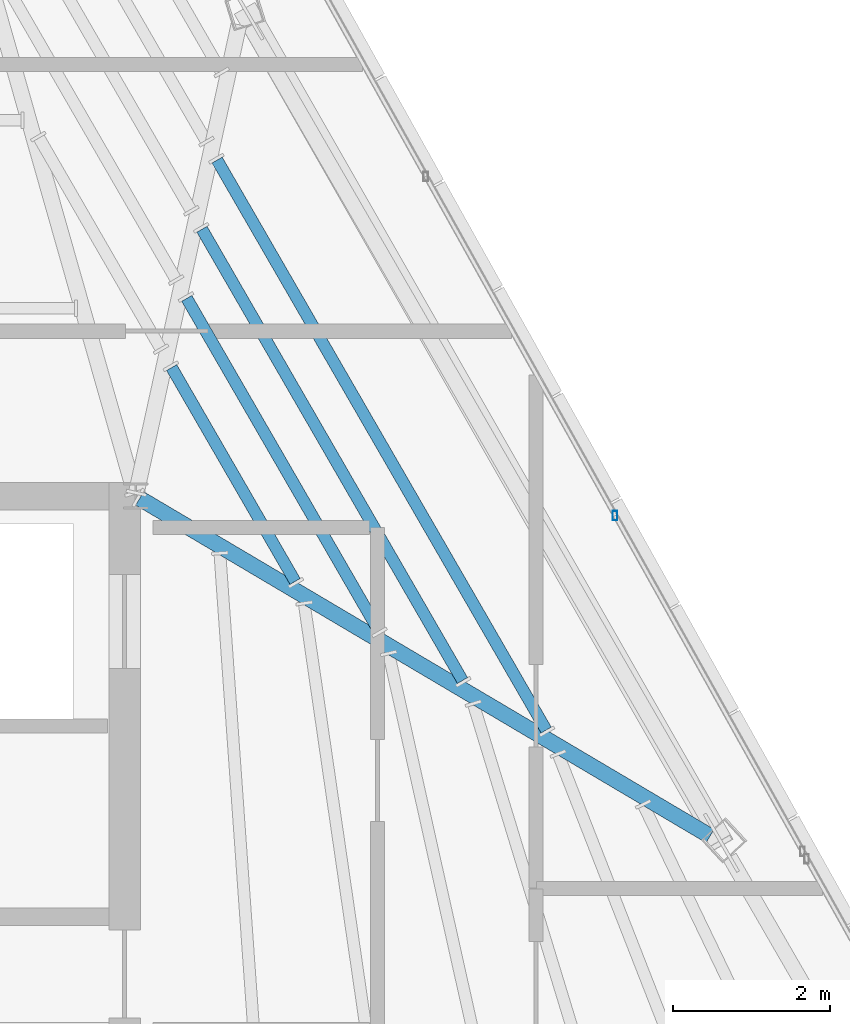
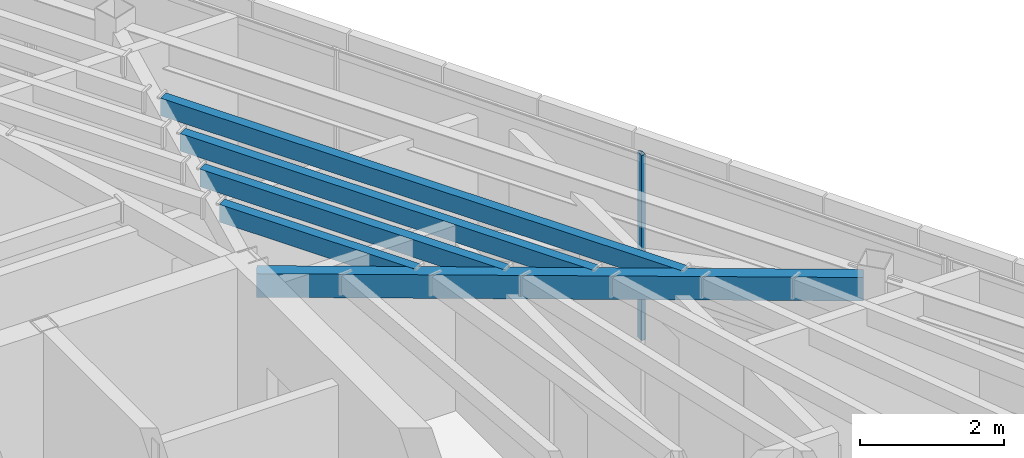
# One storey, part 28 of 48: 5 beams, 1 member, 1 element without a shape of its own.
"""IFC4 building model written with IfcOpenShell, lengths in metres."""

from ifc_helpers import new_model, si_unit, direction, frame, origin, origin_2d, place, context, subcontext, project, spatial, hollow_rectangle, extrude, source, transform, mapped, material, material_profile, profile_set, type_object, type_shapes, element, aggregate, save


model = new_model("IFC4")

# Units and contexts
model_context = context("Model", 3, precision=1e-05, world=origin(), true_north=direction((0.0, 1.0)))
body_context = subcontext(model_context, "Body", "Model", "MODEL_VIEW")
ifc_project = project(units=[si_unit("LENGTHUNIT", "METRE"), si_unit("AREAUNIT", "SQUARE_METRE"), si_unit("VOLUMEUNIT", "CUBIC_METRE"), si_unit("PLANEANGLEUNIT", "RADIAN"), si_unit("MASSUNIT", "GRAM", prefix="KILO")], contexts=[model_context])

# Site, building, storey
site_placement = place(None, origin())
site = spatial("IfcSite", under=ifc_project, at=site_placement, CompositionType="ELEMENT")
building_placement = place(site_placement, origin())
building = spatial("IfcBuilding", under=site, at=building_placement, Name="Caelisora Broadcast Tower", CompositionType="ELEMENT")
storey_placement = place(building_placement, frame((0.0, 0.0, 300.0)))
storey = spatial("IfcBuildingStorey", under=building, at=storey_placement, Name="L79", CompositionType="ELEMENT", Elevation=300.0)

# Beams
ifc_material_1 = material(Name="Steel Grade 350 (AS/NZS 1163 C350L0)", Category="steel")
ifc_material_profile_1 = material_profile(ifc_material_1, hollow_rectangle(XDim=0.199951171875, YDim=0.39990234375, WallThickness=0.012451171875, at=origin_2d()), Name="Steel Grade 350 (AS/NZS 1163 C350L0)")
ifc_profile_set_1 = profile_set([ifc_material_profile_1], Name="Steel Grade 350 (AS/NZS 1163 C350L0)")
beam_type_1 = type_object("IfcBeamType", Name="PG07", PredefinedType="BEAM", material=ifc_profile_set_1)
shared_shape_1 = source(origin(), body_context, "Body", "SweptSolid", [
    extrude(hollow_rectangle(XDim=0.199951171875, YDim=0.39990234375, WallThickness=0.012451171875, at=origin_2d()), origin(), (0.0, 0.0, 1.0), 8.4462890625),
])
type_shapes(beam_type_1, [shared_shape_1])
beam_1_placement = place(storey_placement, frame((45.551513671875, 29.969482421875, 2.949951171875), z_axis=(0.860513070019, -0.509428362311, 0.0), x_axis=(0.509428362311, 0.860513070019, 0.0)))
element("IfcBeam", 1, at=beam_1_placement, inside=storey, type_object=beam_type_1, Name="L79 beam PG07", PredefinedType="BEAM", context=body_context, shape_type="MappedRepresentation", body=[
    mapped(shared_shape_1, transform((0.0, 0.0, 0.0), scale=1.0)),
])
ifc_material_profile_2 = material_profile(ifc_material_1, hollow_rectangle(XDim=0.14990234375, YDim=0.300048828125, WallThickness=0.010009765625, at=origin_2d()), Name="Steel Grade 350 (AS/NZS 1163 C350L0)")
ifc_profile_set_2 = profile_set([ifc_material_profile_2], Name="Steel Grade 350 (AS/NZS 1163 C350L0)")
beam_type_2 = type_object("IfcBeamType", Name="SB05", PredefinedType="JOIST", material=ifc_profile_set_2)
shared_shape_2 = source(origin(), body_context, "Body", "SweptSolid", [
    extrude(hollow_rectangle(XDim=0.14990234375, YDim=0.300048828125, WallThickness=0.010009765625, at=origin_2d()), origin(), (0.0, 0.0, 1.0), 3.146728515625),
])
beam_2_placement = place(storey_placement, frame((47.5322265625, 28.91162109375, 3.0), z_axis=(-0.500035861063, 0.8660046984, 0.0), x_axis=(-0.8660046984, -0.500035861063, 0.0)))
element("IfcBeam", 2, at=beam_2_placement, inside=storey, type_object=beam_type_2, Name="L79 beam SB05", PredefinedType="JOIST", context=body_context, shape_type="MappedRepresentation", body=[
    mapped(shared_shape_2, transform((0.0, 0.0, 0.0), scale=1.0)),
])
shared_shape_3 = source(origin(), body_context, "Body", "SweptSolid", [
    extrude(hollow_rectangle(XDim=0.14990234375, YDim=0.300048828125, WallThickness=0.010009765625, at=origin_2d()), origin(), (0.0, 0.0, 1.0), 4.89306640625),
])
beam_3_placement = place(storey_placement, frame((48.598388671875, 28.2802734375, 3.0), z_axis=(-0.499997432067, 0.866026886376, 0.0), x_axis=(-0.866026886376, -0.499997432067, 0.0)))
element("IfcBeam", 3, at=beam_3_placement, inside=storey, type_object=beam_type_2, Name="L79 beam SB05", PredefinedType="JOIST", context=body_context, shape_type="MappedRepresentation", body=[
    mapped(shared_shape_3, transform((0.0, 0.0, 0.0), scale=1.0)),
])
shared_shape_4 = source(origin(), body_context, "Body", "SweptSolid", [
    extrude(hollow_rectangle(XDim=0.14990234375, YDim=0.300048828125, WallThickness=0.010009765625, at=origin_2d()), origin(), (0.0, 0.0, 1.0), 6.6396484375),
])
beam_4_placement = place(storey_placement, frame((49.664794921875, 27.64892578125, 3.0), z_axis=(-0.499990874986, 0.86603067205, 0.0), x_axis=(-0.86603067205, -0.499990874986, 0.0)))
element("IfcBeam", 4, at=beam_4_placement, inside=storey, type_object=beam_type_2, Name="L79 beam SB05", PredefinedType="JOIST", context=body_context, shape_type="MappedRepresentation", body=[
    mapped(shared_shape_4, transform((0.0, 0.0, 0.0), scale=1.0)),
])
shared_shape_5 = source(origin(), body_context, "Body", "SweptSolid", [
    extrude(hollow_rectangle(XDim=0.14990234375, YDim=0.300048828125, WallThickness=0.010009765625, at=origin_2d()), origin(), (0.0, 0.0, 1.0), 8.38623046875),
])
type_shapes(beam_type_2, [shared_shape_2, shared_shape_3, shared_shape_4, shared_shape_5])
beam_5_placement = place(storey_placement, frame((50.731201171875, 27.017578125, 3.0), z_axis=(-0.499999654851, 0.866025603056, 0.0), x_axis=(-0.866025603056, -0.499999654851, 0.0)))
element("IfcBeam", 5, at=beam_5_placement, inside=storey, type_object=beam_type_2, Name="L79 beam SB05", PredefinedType="JOIST", context=body_context, shape_type="MappedRepresentation", body=[
    mapped(shared_shape_5, transform((0.0, 0.0, 0.0), scale=1.0)),
])

# Curtain wall, member
ifc_material_2 = material(Name="Unitised Aluminium Insulated Shadow-Box Spandrel Curtain Wall", Category="aluminium")
curtain_wall_type = type_object("IfcCurtainWallType", Name="CW-SP3", PredefinedType="NOTDEFINED", material=ifc_material_2)
curtain_wall_placement = place(storey_placement, origin())
curtain_wall = element("IfcCurtainWall", 6, at=curtain_wall_placement, inside=storey, type_object=curtain_wall_type, Name="L79 curtain wall CW-SP3", PredefinedType="NOTDEFINED")
ifc_material_3 = material(Name="Aluminium 6063-T6 Anodised Terracotta Bronze", Category="aluminium")
ifc_material_profile_3 = material_profile(ifc_material_3, hollow_rectangle(XDim=0.06005859375, YDim=0.1201171875, WallThickness=0.0029296875, at=origin_2d()), Name="Aluminium 6063-T6 Anodised Terracotta Bronze")
ifc_profile_set_3 = profile_set([ifc_material_profile_3], Name="Aluminium 6063-T6 Anodised Terracotta Bronze")
member_type = type_object("IfcMemberType", Name="CWM-04", PredefinedType="MULLION", material=ifc_profile_set_3)
shared_shape_6 = source(origin(), body_context, "Body", "SweptSolid", [
    extrude(hollow_rectangle(XDim=0.06005859375, YDim=0.1201171875, WallThickness=0.0029296875, at=origin_2d()), origin(), (0.0, 0.0, 1.0), 3.14990234375),
])
type_shapes(member_type, [shared_shape_6])
member_placement = place(storey_placement, frame((51.6083984375, 29.749755859375, 0.0), z_axis=(0.0, 0.0, 1.0), x_axis=(1.0, 0.0, 0.0)))
member = element("IfcMember", 7, at=member_placement, type_object=member_type, Name="L79-CW-B02 mullion #2", PredefinedType="MULLION", context=body_context, shape_type="MappedRepresentation", body=[
    mapped(shared_shape_6, transform((0.0, 0.0, 0.0), scale=1.0)),
])
aggregate(curtain_wall, [member])

save(model, "model.ifc")
